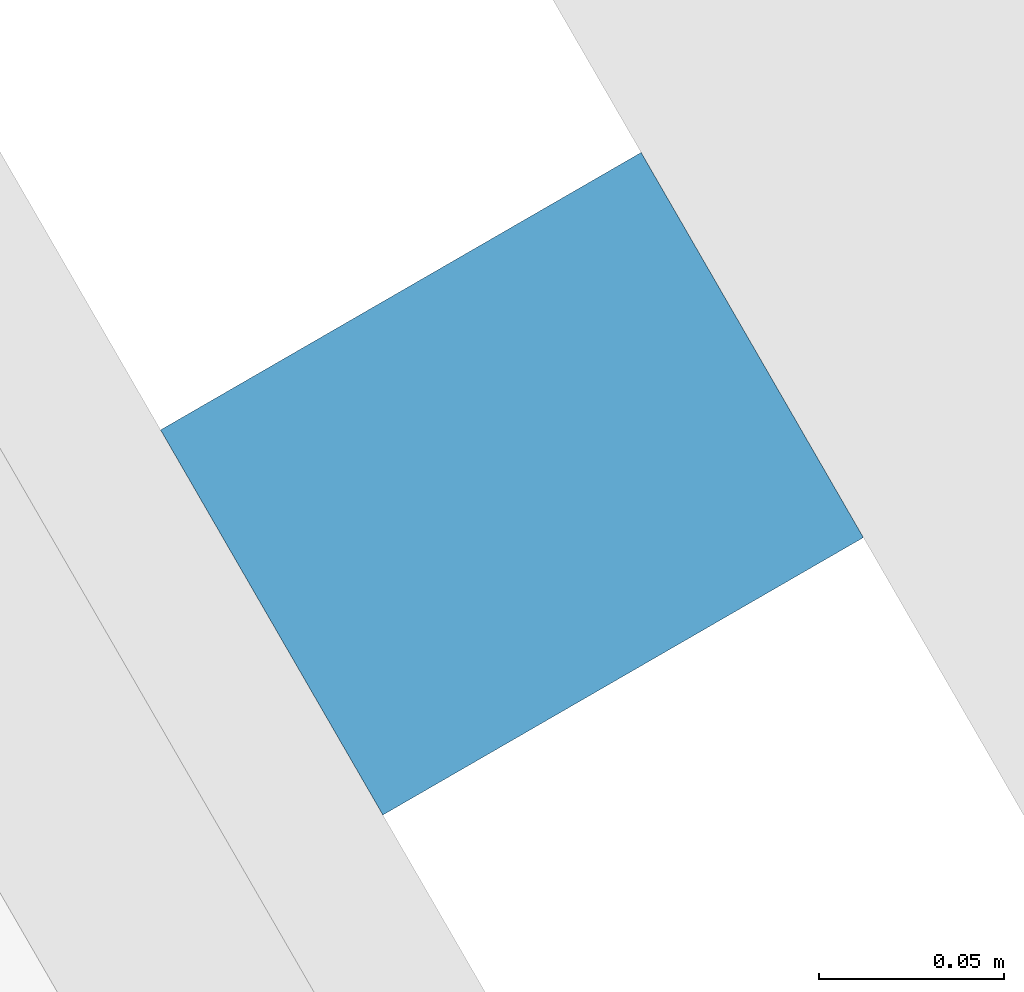
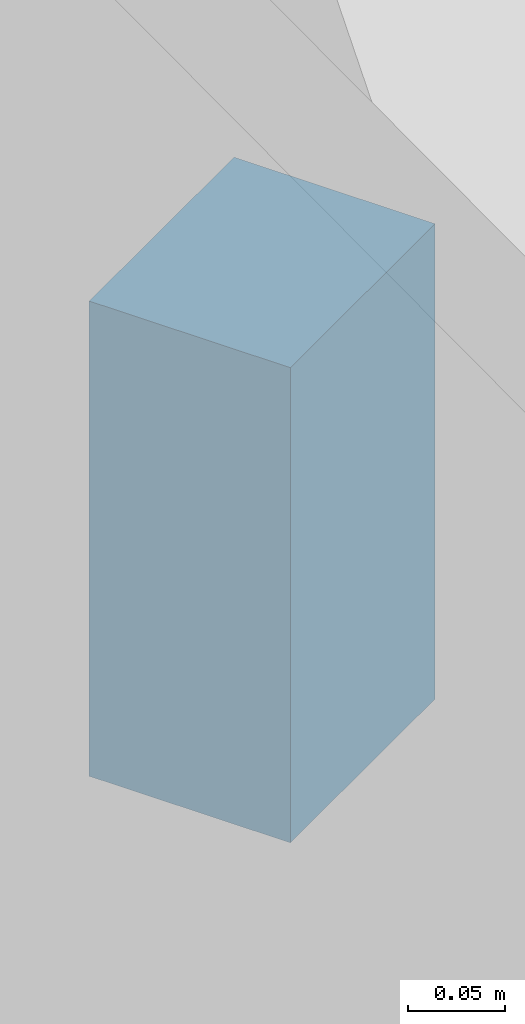
# One storey, part 10 of 12: 1 discrete accessory.
"""IFC4 building model written with IfcOpenShell, lengths in metres."""

from ifc_helpers import new_model, si_unit, direction, frame, origin, place, context, subcontext, project, spatial, polyline, outline, extrude, source, transform, mapped, material, type_object, element, save


model = new_model("IFC4")

# Units and contexts
model_context = context("Model", 3, precision=1e-05, world=origin(), true_north=direction((0.0, 1.0)))
body_context = subcontext(model_context, "Body", "Model", "MODEL_VIEW")
ifc_project = project(units=[si_unit("LENGTHUNIT", "METRE"), si_unit("AREAUNIT", "SQUARE_METRE"), si_unit("VOLUMEUNIT", "CUBIC_METRE"), si_unit("PLANEANGLEUNIT", "RADIAN"), si_unit("MASSUNIT", "GRAM", prefix="KILO")], contexts=[model_context])

# Site, building, storey
site_placement = place(None, origin())
site = spatial("IfcSite", under=ifc_project, at=site_placement, CompositionType="ELEMENT")
building_placement = place(site_placement, origin())
building = spatial("IfcBuilding", under=site, at=building_placement, Name="Altiplano Prism Tower", CompositionType="ELEMENT")
storey_placement = place(building_placement, frame((0.0, 0.0, 331.0)))
storey = spatial("IfcBuildingStorey", under=building, at=storey_placement, Name="L86", CompositionType="ELEMENT", Elevation=331.0)

# Discrete accessory
ifc_material = material(Name="Stainless steel", Category="steel")
discrete_accessory_type = type_object("IfcDiscreteAccessoryType", Name="Stone fin fixing prongs", PredefinedType="USERDEFINED", material=ifc_material)
shared_shape = source(origin(), body_context, "Body", "SweptSolid", [
    extrude(outline(polyline([(-1.012451171875, 2.581787109375), (-0.892333984375, 2.581787109375), (-0.892333984375, 2.8818359375), (-1.012451171875, 2.8818359375), (-1.012451171875, 2.581787109375)])), frame((0.0, 0.0, 0.0), z_axis=(0.0, -1.0, 0.0), x_axis=(1.0, 0.0, 0.0)), (0.0, 0.0, 1.0), 0.14990234375),
])
discrete_accessory_placement = place(storey_placement, origin())
element("IfcDiscreteAccessory", 1, at=discrete_accessory_placement, inside=storey, type_object=discrete_accessory_type, Name="Fin fixings L86 north-east chamfer", ObjectType="BRACKET", PredefinedType="USERDEFINED", context=body_context, shape_type="MappedRepresentation", body=[
    mapped(shared_shape, transform((105.238525390625, 103.484375, -0.39990234375), x_axis=(-0.499999989809, 0.866025409668, 0.0), y_axis=(-0.866025409668, -0.499999989809, 0.0), z_axis=(0.0, 0.0, 1.0))),
])

save(model, "model.ifc")
